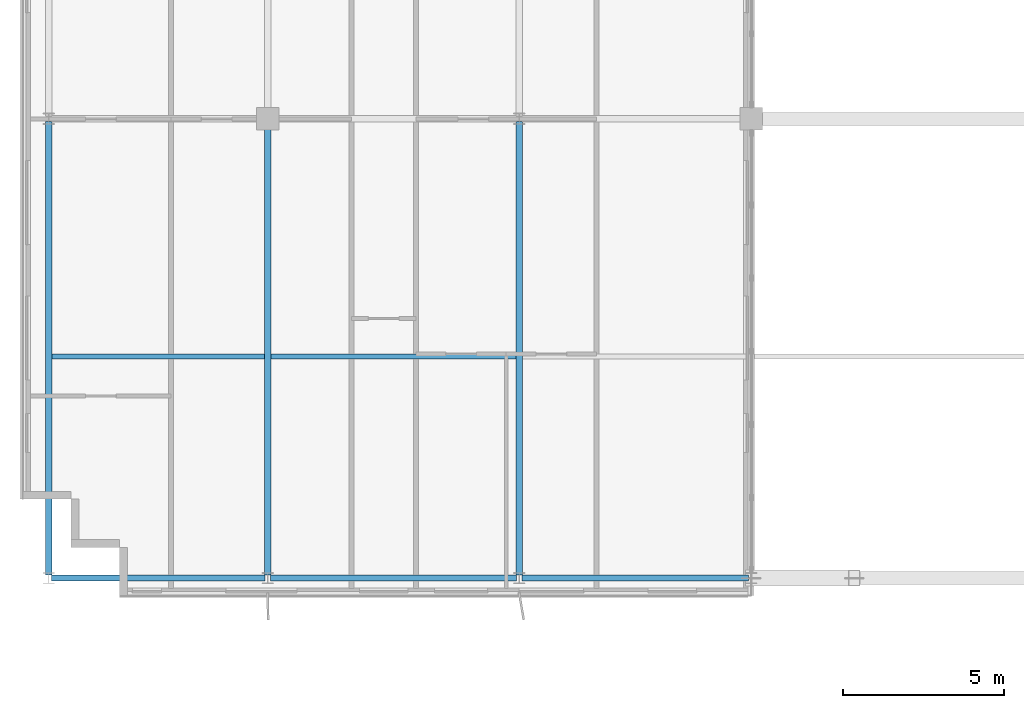
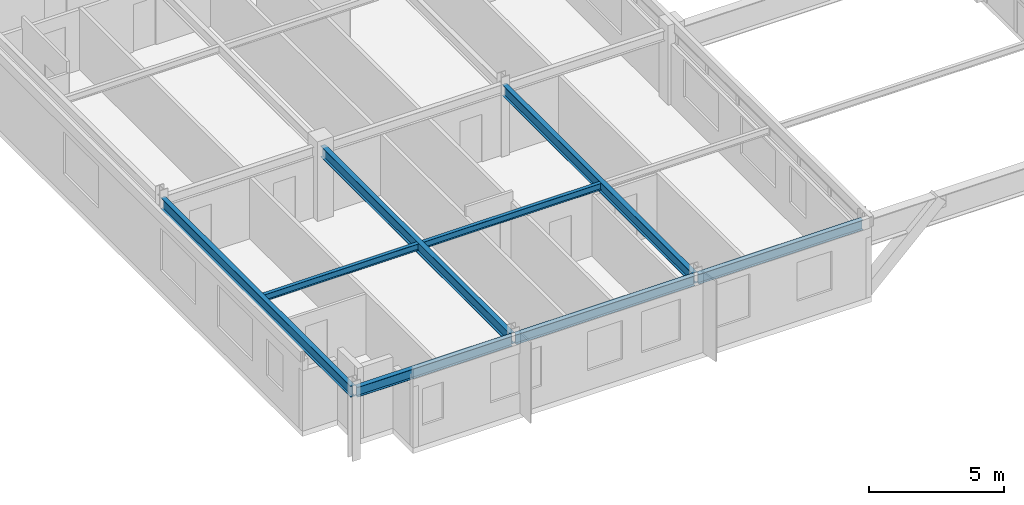
# One storey, part 5 of 37: 8 beams.
"""IFC4 building model written with IfcOpenShell, lengths in metres."""

from ifc_helpers import new_model, si_unit, direction, frame, origin, origin_2d, place, context, subcontext, project, spatial, i_section, extrude, source, transform, mapped, material, material_profile, profile_set, type_object, element, save


model = new_model("IFC4")

# Units and contexts
model_context = context("Model", 3, precision=1e-05, world=origin(), true_north=direction((0.0, 1.0)))
body_context = subcontext(model_context, "Body", "Model", "MODEL_VIEW")
ifc_project = project(units=[si_unit("LENGTHUNIT", "METRE"), si_unit("AREAUNIT", "SQUARE_METRE"), si_unit("VOLUMEUNIT", "CUBIC_METRE"), si_unit("PLANEANGLEUNIT", "RADIAN"), si_unit("MASSUNIT", "GRAM", prefix="KILO")], contexts=[model_context])

# Site, building, storey
site_placement = place(None, origin())
site = spatial("IfcSite", under=ifc_project, at=site_placement, CompositionType="ELEMENT")
building_placement = place(site_placement, origin())
building = spatial("IfcBuilding", under=site, at=building_placement, Name="Trelvane Seafront Commons", CompositionType="ELEMENT")
storey_placement = place(building_placement, frame((0.0, 0.0, 201.300048828125)))
storey = spatial("IfcBuildingStorey", under=building, at=storey_placement, Name="L52", CompositionType="ELEMENT", Elevation=201.300048828125)

# Beams
ifc_material = material(Name="Steel SM355 (S355)", Category="steel")
ifc_material_profile_1 = material_profile(ifc_material, i_section(OverallWidth=0.199951171875, OverallDepth=0.449951171875, WebThickness=0.009033203125, FlangeThickness=0.013916015625, at=origin_2d()), Name="H-450x200x9x14")
ifc_profile_set_1 = profile_set([ifc_material_profile_1], Name="Steel SM355 (S355)")
beam_type_1 = type_object("IfcBeamType", Name="STR-SPD-H450", PredefinedType="SPANDREL", material=ifc_profile_set_1)
shared_shape_1 = source(origin(), body_context, "Body", "SweptSolid", [
    extrude(i_section(OverallWidth=0.199951171875, OverallDepth=0.449951171875, WebThickness=0.009033203125, FlangeThickness=0.013916015625, at=origin_2d()), origin(), (0.0, 0.0, 1.0), 6.625),
])
beam_1_placement = place(storey_placement, frame((8.887451171875, 3.949951171875, 2.994873046875), z_axis=(1.0, 0.0, 0.0), x_axis=(0.0, 1.0, 0.0)))
element("IfcBeam", 1, at=beam_1_placement, inside=storey, type_object=beam_type_1, Name="L52 Primary Girder G-01", PredefinedType="SPANDREL", context=body_context, shape_type="MappedRepresentation", body=[
    mapped(shared_shape_1, transform((0.0, 0.0, 0.0), x_axis=(1.0, 0.0, 0.0), y_axis=(0.0, 1.0, 0.0), z_axis=(0.0, 0.0, 1.0), scale=1.0)),
])
shared_shape_2 = source(origin(), body_context, "Body", "SweptSolid", [
    extrude(i_section(OverallWidth=0.199951171875, OverallDepth=0.449951171875, WebThickness=0.009033203125, FlangeThickness=0.013916015625, at=origin_2d()), origin(), (0.0, 0.0, 1.0), 7.625),
])
beam_2_placement = place(storey_placement, frame((15.6875, 3.949951171875, 2.994873046875), z_axis=(1.0, 0.0, 0.0), x_axis=(0.0, 1.0, 0.0)))
element("IfcBeam", 2, at=beam_2_placement, inside=storey, type_object=beam_type_1, Name="L52 Primary Girder G-02", PredefinedType="SPANDREL", context=body_context, shape_type="MappedRepresentation", body=[
    mapped(shared_shape_2, transform((0.0, 0.0, 0.0), x_axis=(1.0, 0.0, 0.0), y_axis=(0.0, 1.0, 0.0), z_axis=(0.0, 0.0, 1.0), scale=1.0)),
])
shared_shape_3 = source(origin(), body_context, "Body", "SweptSolid", [
    extrude(i_section(OverallWidth=0.199951171875, OverallDepth=0.449951171875, WebThickness=0.009033203125, FlangeThickness=0.013916015625, at=origin_2d()), origin(), (0.0, 0.0, 1.0), 7.02490234375),
])
beam_3_placement = place(storey_placement, frame((23.487548828125, 3.949951171875, 2.994873046875), z_axis=(1.0, 0.0, 0.0), x_axis=(0.0, 1.0, 0.0)))
element("IfcBeam", 3, at=beam_3_placement, inside=storey, type_object=beam_type_1, Name="L52 Primary Girder G-03", PredefinedType="SPANDREL", context=body_context, shape_type="MappedRepresentation", body=[
    mapped(shared_shape_3, transform((0.0, 0.0, 0.0), x_axis=(1.0, 0.0, 0.0), y_axis=(0.0, 1.0, 0.0), z_axis=(0.0, 0.0, 1.0), scale=1.0)),
])
ifc_material_profile_2 = material_profile(ifc_material, i_section(OverallWidth=0.199951171875, OverallDepth=0.5, WebThickness=0.010009765625, FlangeThickness=0.01611328125, at=origin_2d()), Name="H-500x200x10x16")
ifc_profile_set_2 = profile_set([ifc_material_profile_2], Name="Steel SM355 (S355)")
beam_type_2 = type_object("IfcBeamType", Name="STR-BM-H500", PredefinedType="BEAM", material=ifc_profile_set_2)
shared_shape_4 = source(origin(), body_context, "Body", "SweptSolid", [
    extrude(i_section(OverallWidth=0.199951171875, OverallDepth=0.5, WebThickness=0.010009765625, FlangeThickness=0.01611328125, at=origin_2d()), origin(), (0.0, 0.0, 1.0), 14.074951171875),
])
for number, where, z_axis, x_axis, name in (
    (4, (8.800048828125, 4.03759765625, 2.969970703125), (0.0, 1.0, 0.0), (-1.0, 0.0, 0.0), "L52 Primary Girder G-29"),
    (5, (23.39990234375, 4.03759765625, 2.969970703125), (0.0, 1.0, 0.0), (-1.0, 0.0, 0.0), "L52 Primary Girder G-35"),
):
    element("IfcBeam", number, at=place(storey_placement, frame(where, z_axis=z_axis, x_axis=x_axis)), inside=storey, type_object=beam_type_2, Name=name, PredefinedType="BEAM", context=body_context, shape_type="MappedRepresentation", body=[
        mapped(shared_shape_4, transform((0.0, 0.0, 0.0), x_axis=(1.0, 0.0, 0.0), y_axis=(0.0, 1.0, 0.0), z_axis=(0.0, 0.0, 1.0), scale=1.0)),
    ])
shared_shape_5 = source(origin(), body_context, "Body", "SweptSolid", [
    extrude(i_section(OverallWidth=0.199951171875, OverallDepth=0.5, WebThickness=0.010009765625, FlangeThickness=0.01611328125, at=origin_2d()), origin(), (0.0, 0.0, 1.0), 14.012451171875),
])
beam_4_placement = place(storey_placement, frame((15.60009765625, 4.03759765625, 2.969970703125), z_axis=(0.0, 1.0, 0.0), x_axis=(-1.0, 0.0, 0.0)))
element("IfcBeam", 6, at=beam_4_placement, inside=storey, type_object=beam_type_2, Name="L52 Primary Girder G-32", PredefinedType="BEAM", context=body_context, shape_type="MappedRepresentation", body=[
    mapped(shared_shape_5, transform((0.0, 0.0, 0.0), x_axis=(1.0, 0.0, 0.0), y_axis=(0.0, 1.0, 0.0), z_axis=(0.0, 0.0, 1.0), scale=1.0)),
])
ifc_material_profile_3 = material_profile(ifc_material, i_section(OverallWidth=0.14990234375, OverallDepth=0.300048828125, WebThickness=0.006591796875, FlangeThickness=0.009033203125, at=origin_2d()), Name="H-300x150x6.5x9")
ifc_profile_set_3 = profile_set([ifc_material_profile_3], Name="Steel SM355 (S355)")
beam_type_3 = type_object("IfcBeamType", Name="STR-JST-H300", PredefinedType="JOIST", material=ifc_profile_set_3)
shared_shape_6 = source(origin(), body_context, "Body", "SweptSolid", [
    extrude(i_section(OverallWidth=0.14990234375, OverallDepth=0.300048828125, WebThickness=0.006591796875, FlangeThickness=0.009033203125, at=origin_2d()), origin(), (0.0, 0.0, 1.0), 6.60009765625),
])
beam_5_placement = place(storey_placement, frame((8.89990234375, 10.824951171875, 3.070068359375), z_axis=(1.0, 0.0, 0.0), x_axis=(0.0, 1.0, 0.0)))
element("IfcBeam", 7, at=beam_5_placement, inside=storey, type_object=beam_type_3, Name="L52 Secondary Floor Joist B-53", PredefinedType="JOIST", context=body_context, shape_type="MappedRepresentation", body=[
    mapped(shared_shape_6, transform((0.0, 0.0, 0.0), x_axis=(1.0, 0.0, 0.0), y_axis=(0.0, 1.0, 0.0), z_axis=(0.0, 0.0, 1.0), scale=1.0)),
])
shared_shape_7 = source(origin(), body_context, "Body", "SweptSolid", [
    extrude(i_section(OverallWidth=0.14990234375, OverallDepth=0.300048828125, WebThickness=0.006591796875, FlangeThickness=0.009033203125, at=origin_2d()), origin(), (0.0, 0.0, 1.0), 7.60009765625),
])
beam_6_placement = place(storey_placement, frame((15.699951171875, 10.824951171875, 3.070068359375), z_axis=(1.0, 0.0, 0.0), x_axis=(0.0, 1.0, 0.0)))
element("IfcBeam", 8, at=beam_6_placement, inside=storey, type_object=beam_type_3, Name="L52 Secondary Floor Joist B-54", PredefinedType="JOIST", context=body_context, shape_type="MappedRepresentation", body=[
    mapped(shared_shape_7, transform((0.0, 0.0, 0.0), x_axis=(1.0, 0.0, 0.0), y_axis=(0.0, 1.0, 0.0), z_axis=(0.0, 0.0, 1.0), scale=1.0)),
])

save(model, "model.ifc")
